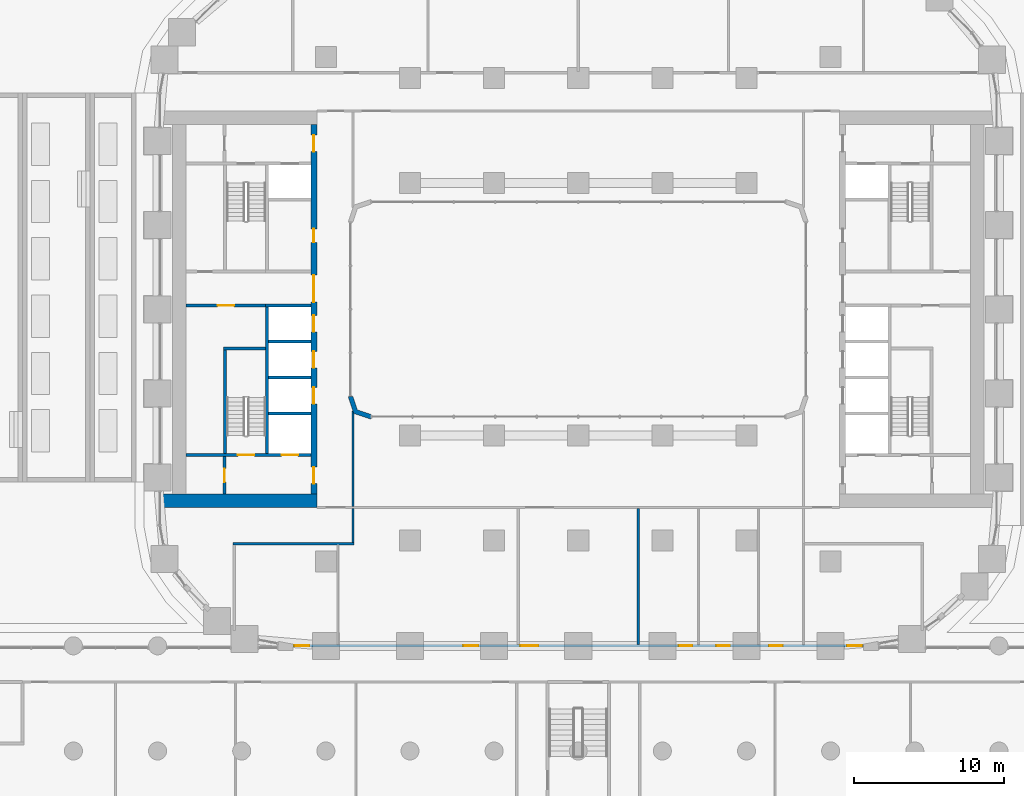
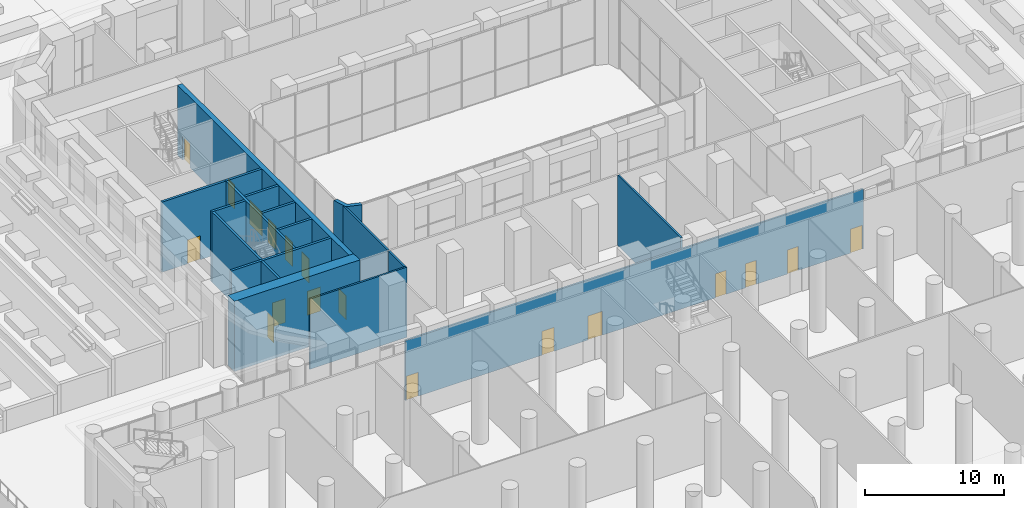
# One storey, part 34 of 51: 18 doors, 18 walls, 18 openings.
"""IFC4 building model written with IfcOpenShell, lengths in metres."""

from ifc_helpers import new_model, si_unit, direction, frame, frame_2d, origin, place, context, subcontext, project, spatial, polyline, rectangle, outline, extrude, material, layer, layer_set, type_object, element, fill, save


model = new_model("IFC4")

# Units and contexts
model_context = context("Model", 3, precision=1e-05, world=origin(), true_north=direction((0.0, 1.0)))
body_context = subcontext(model_context, "Body", "Model", "MODEL_VIEW")
ifc_project = project(units=[si_unit("LENGTHUNIT", "METRE"), si_unit("AREAUNIT", "SQUARE_METRE"), si_unit("VOLUMEUNIT", "CUBIC_METRE"), si_unit("PLANEANGLEUNIT", "RADIAN"), si_unit("MASSUNIT", "GRAM", prefix="KILO")], contexts=[model_context])

# Site, building, storey
site_placement = place(None, origin())
site = spatial("IfcSite", under=ifc_project, at=site_placement, CompositionType="ELEMENT")
building_placement = place(site_placement, origin())
building = spatial("IfcBuilding", under=site, at=building_placement, Name="Kiln Ring Residences", CompositionType="ELEMENT")
storey_placement = place(building_placement, origin())
storey = spatial("IfcBuildingStorey", under=building, at=storey_placement, Name="L00", CompositionType="ELEMENT", Elevation=0.0)

# Wall, opening, door
ifc_material_1 = material(Name="Gypsum board on steel studs", Category="steel")
ifc_layer_1 = layer(ifc_material_1, 0.199951171875)
ifc_layer_set_1 = layer_set([ifc_layer_1], Name="CORE-PARTITION-200")
wall_type_1 = type_object("IfcWallType", Name="CORE-PARTITION-200", PredefinedType="PARTITIONING", material=ifc_layer_set_1)
wall_1_placement = place(storey_placement, frame((-20.800048828125, 0.25, 0.0), z_axis=(0.0, 0.0, 1.0), x_axis=(-1.0, 0.0, 0.0)))
wall_1 = element("IfcWall", 1, at=wall_1_placement, inside=storey, type_object=wall_type_1, Name="Core partition west L00 1", PredefinedType="PARTITIONING", context=body_context, shape_type="SweptSolid", body=[
    extrude(rectangle(XDim=5.300048828125, YDim=0.199951171875, at=frame_2d((2.64990234375, 0.0))), origin(), (0.0, 0.0, 1.0), 6.14990234375),
])
opening_1_placement = place(wall_1_placement, frame((2.10009765625, 0.0, 0.0)))
opening_1 = element("IfcOpeningElement", 2, at=opening_1_placement, cuts=wall_1, Name="Opening L00-CW14", PredefinedType="OPENING", context=body_context, shape_type="SweptSolid", body=[
    extrude(rectangle(XDim=1.10009765625, YDim=2.10009765625, at=frame_2d((0.550048828125, 1.050048828125))), frame((0.0, 0.10986328125, 0.0), z_axis=(0.0, -1.0, 0.0), x_axis=(1.0, 0.0, 0.0)), (0.0, 0.0, 1.0), 0.219970703125),
])
ifc_material_2 = material(Name="Steel door leaf", Category="steel")
door_type_1 = type_object("IfcDoorType", Name="CORE-DOOR-ROOM", OperationType="SINGLE_SWING_LEFT", PredefinedType="DOOR", material=ifc_material_2)
door_1_placement = place(opening_1_placement, origin())
door_1 = element("IfcDoor", 3, at=door_1_placement, inside=storey, type_object=door_type_1, Name="Fire command and control room L00-CW14", OperationType="SINGLE_SWING_RIGHT", OverallHeight=2.10009765625, OverallWidth=1.10009765625, PredefinedType="DOOR", context=body_context, shape_type="SweptSolid", body=[
    extrude(rectangle(XDim=1.10009765625, YDim=2.10009765625, at=frame_2d((0.550048828125, 1.050048828125))), frame((0.0, 0.02490234375, 0.0), z_axis=(0.0, -1.0, 0.0), x_axis=(1.0, 0.0, 0.0)), (0.0, 0.0, 1.0), 0.050048828125),
])
fill(opening_1, door_1)

wall_2_placement = place(storey_placement, frame((-23.550048828125, -12.300048828125, 0.0), z_axis=(0.0, 0.0, 1.0), x_axis=(0.0, 1.0, 0.0)))
wall_2 = element("IfcWall", 4, at=wall_2_placement, inside=storey, type_object=wall_type_1, Name="Core partition west L00 3", PredefinedType="PARTITIONING", context=body_context, shape_type="SweptSolid", body=[
    extrude(rectangle(XDim=2.5, YDim=0.199951171875, at=frame_2d((1.25, 0.0))), origin(), (0.0, 0.0, 1.0), 6.14990234375),
])
opening_2_placement = place(wall_2_placement, frame((0.800048828125, 0.0, 0.0)))
opening_2 = element("IfcOpeningElement", 5, at=opening_2_placement, cuts=wall_2, Name="Opening L00-CW10", PredefinedType="OPENING", context=body_context, shape_type="SweptSolid", body=[
    extrude(rectangle(XDim=0.89990234375, YDim=2.10009765625, at=frame_2d((0.449951171875, 1.050048828125))), frame((0.0, 0.10986328125, 0.0), z_axis=(0.0, -1.0, 0.0), x_axis=(1.0, 0.0, 0.0)), (0.0, 0.0, 1.0), 0.219970703125),
])
door_2_placement = place(opening_2_placement, origin())
door_2 = element("IfcDoor", 6, at=door_2_placement, inside=storey, type_object=door_type_1, Name="Store L00-CW10", OperationType="SINGLE_SWING_RIGHT", OverallHeight=2.10009765625, OverallWidth=0.89990234375, PredefinedType="DOOR", context=body_context, shape_type="SweptSolid", body=[
    extrude(rectangle(XDim=0.89990234375, YDim=2.10009765625, at=frame_2d((0.449951171875, 1.050048828125))), frame((0.0, 0.02490234375, 0.0), z_axis=(0.0, -1.0, 0.0), x_axis=(1.0, 0.0, 0.0)), (0.0, 0.0, 1.0), 0.050048828125),
])
fill(opening_2, door_2)

# Walls
ifc_material_3 = material(Name="Gypsum shaft wall system")
ifc_layer_2 = layer(ifc_material_3, 0.199951171875)
ifc_layer_set_2 = layer_set([ifc_layer_2], Name="CORE-SHAFT-WALL-200")
wall_type_2 = type_object("IfcWallType", Name="CORE-SHAFT-WALL-200", PredefinedType="PARTITIONING", material=ifc_layer_set_2)
for number, where, z_axis, x_axis, name in (
    (7, (-17.800048828125, -6.949951171875, 0.0), (0.0, 0.0, 1.0), (-1.0, 0.0, 0.0), "Core partition west L00 4"),
    (8, (-17.800048828125, -4.550048828125, 0.0), (0.0, 0.0, 1.0), (-1.0, 0.0, 0.0), "Core partition west L00 5"),
    (9, (-17.800048828125, -2.14990234375, 0.0), (0.0, 0.0, 1.0), (-1.0, 0.0, 0.0), "Core partition west L00 6"),
):
    element("IfcWall", number, at=place(storey_placement, frame(where, z_axis=z_axis, x_axis=x_axis)), inside=storey, type_object=wall_type_2, Name=name, PredefinedType="PARTITIONING", context=body_context, shape_type="SweptSolid", body=[
        extrude(rectangle(XDim=2.800048828125, YDim=0.199951171875, at=frame_2d((1.39990234375, 0.0))), origin(), (0.0, 0.0, 1.0), 6.14990234375),
    ])
wall_3_placement = place(storey_placement, frame((-17.800048828125, 0.25, 0.0), z_axis=(0.0, 0.0, 1.0), x_axis=(-1.0, 0.0, 0.0)))
element("IfcWall", 10, at=wall_3_placement, inside=storey, type_object=wall_type_2, Name="Core partition west L00 7", PredefinedType="PARTITIONING", context=body_context, shape_type="SweptSolid", body=[
    extrude(rectangle(XDim=3.0, YDim=0.199951171875, at=frame_2d((1.5, 0.0))), origin(), (0.0, 0.0, 1.0), 6.14990234375),
])
ifc_material_4 = material(Name="Concrete C40/50", Category="concrete")
ifc_layer_3 = layer(ifc_material_4, 0.199951171875)
ifc_layer_set_3 = layer_set([ifc_layer_3], Name="CORE-WALL-RC200")
wall_type_3 = type_object("IfcWallType", Name="CORE-WALL-RC200", PredefinedType="SHEAR", material=ifc_layer_set_3)
wall_4_placement = place(storey_placement, frame((-20.699951171875, -9.60009765625, 0.0), z_axis=(0.0, 0.0, 1.0), x_axis=(0.0, 1.0, 0.0)))
element("IfcWall", 11, at=wall_4_placement, inside=storey, type_object=wall_type_3, Name="Core wall west L00 2", PredefinedType="SHEAR", context=body_context, shape_type="SweptSolid", body=[
    extrude(rectangle(XDim=9.75, YDim=0.199951171875, at=frame_2d((4.875, 0.0))), origin(), (0.0, 0.0, 1.0), 6.14990234375),
])

# Wall, openings, doors
wall_5_placement = place(storey_placement, frame((-17.800048828125, -9.699951171875, 0.0), z_axis=(0.0, 0.0, 1.0), x_axis=(-1.0, 0.0, 0.0)))
wall_5 = element("IfcWall", 12, at=wall_5_placement, inside=storey, type_object=wall_type_3, Name="Core wall west L00 8", PredefinedType="SHEAR", context=body_context, shape_type="SweptSolid", body=[
    extrude(rectangle(XDim=8.300048828125, YDim=0.199951171875, at=frame_2d((4.14990234375, 0.0))), origin(), (0.0, 0.0, 1.0), 6.14990234375),
])
opening_3_placement = place(wall_5_placement, frame((0.85009765625, 0.0, 0.0)))
opening_3 = element("IfcOpeningElement", 13, at=opening_3_placement, cuts=wall_5, Name="Opening L00-CW01", PredefinedType="OPENING", context=body_context, shape_type="SweptSolid", body=[
    extrude(rectangle(XDim=1.10009765625, YDim=2.10009765625, at=frame_2d((0.550048828125, 1.050048828125))), frame((0.0, 0.10986328125, 0.0), z_axis=(0.0, -1.0, 0.0), x_axis=(1.0, 0.0, 0.0)), (0.0, 0.0, 1.0), 0.219970703125),
])
opening_4_placement = place(wall_5_placement, frame((3.75, 0.0, 0.0)))
opening_4 = element("IfcOpeningElement", 14, at=opening_4_placement, cuts=wall_5, Name="Opening L00-CW12", PredefinedType="OPENING", context=body_context, shape_type="SweptSolid", body=[
    extrude(rectangle(XDim=1.10009765625, YDim=2.10009765625, at=frame_2d((0.550048828125, 1.050048828125))), frame((0.0, 0.10986328125, 0.0), z_axis=(0.0, -1.0, 0.0), x_axis=(1.0, 0.0, 0.0)), (0.0, 0.0, 1.0), 0.219970703125),
])
ifc_material_5 = material(Name="Steel door leaf", Category="steel")
door_type_2 = type_object("IfcDoorType", Name="CORE-DOOR-LD", OperationType="DOUBLE_DOOR_SLIDING", PredefinedType="DOOR", material=ifc_material_5)
door_3_placement = place(opening_3_placement, origin())
door_3 = element("IfcDoor", 15, at=door_3_placement, inside=storey, type_object=door_type_2, Name="LD W-SV L00-CW01", OperationType="DOUBLE_DOOR_SLIDING", OverallHeight=2.10009765625, OverallWidth=1.10009765625, PredefinedType="DOOR", context=body_context, shape_type="SweptSolid", body=[
    extrude(rectangle(XDim=1.10009765625, YDim=2.10009765625, at=frame_2d((0.550048828125, 1.050048828125))), frame((0.0, 0.02490234375, 0.0), z_axis=(0.0, -1.0, 0.0), x_axis=(1.0, 0.0, 0.0)), (0.0, 0.0, 1.0), 0.050048828125),
])
fill(opening_3, door_3)
ifc_material_6 = material(Name="Steel door leaf", Category="steel")
door_type_3 = type_object("IfcDoorType", Name="CORE-DOOR-STAIR", OperationType="SINGLE_SWING_LEFT", PredefinedType="DOOR", material=ifc_material_6)
door_4_placement = place(opening_4_placement, origin())
door_4 = element("IfcDoor", 16, at=door_4_placement, inside=storey, type_object=door_type_3, Name="Stair W-STS L00-CW12", OperationType="SINGLE_SWING_LEFT", OverallHeight=2.10009765625, OverallWidth=1.10009765625, PredefinedType="DOOR", context=body_context, shape_type="SweptSolid", body=[
    extrude(rectangle(XDim=1.10009765625, YDim=2.10009765625, at=frame_2d((0.550048828125, 1.050048828125))), frame((0.0, 0.02490234375, 0.0), z_axis=(0.0, -1.0, 0.0), x_axis=(1.0, 0.0, 0.0)), (0.0, 0.0, 1.0), 0.050048828125),
])
fill(opening_4, door_4)

# Walls
wall_6_placement = place(storey_placement, frame((-23.5, -9.60009765625, 0.0), z_axis=(0.0, 0.0, 1.0), x_axis=(0.0, 1.0, 0.0)))
element("IfcWall", 17, at=wall_6_placement, inside=storey, type_object=wall_type_3, Name="Core wall west L00 11", PredefinedType="SHEAR", context=body_context, shape_type="SweptSolid", body=[
    extrude(rectangle(XDim=6.900146484375, YDim=0.199951171875, at=frame_2d((3.4501953125, 0.0))), origin(), (0.0, 0.0, 1.0), 6.14990234375),
])
wall_7_placement = place(storey_placement, frame((-20.800048828125, -2.60009765625, 0.0), z_axis=(0.0, 0.0, 1.0), x_axis=(-1.0, 0.0, 0.0)))
element("IfcWall", 18, at=wall_7_placement, inside=storey, type_object=wall_type_3, Name="Core wall west L00 12", PredefinedType="SHEAR", context=body_context, shape_type="SweptSolid", body=[
    extrude(rectangle(XDim=2.800048828125, YDim=0.199951171875, at=frame_2d((1.39990234375, 0.0))), origin(), (0.0, 0.0, 1.0), 6.14990234375),
])

# Wall, openings, doors
ifc_material_7 = material(Name="Concrete C60/75", Category="concrete")
ifc_layer_4 = layer(ifc_material_7, 0.39990234375)
ifc_layer_set_4 = layer_set([ifc_layer_4], Name="CORE-WALL-RC400")
wall_type_4 = type_object("IfcWallType", Name="CORE-WALL-RC400", PredefinedType="SHEAR", material=ifc_layer_set_4)
wall_8_placement = place(storey_placement, frame((-17.60009765625, -12.300048828125, 0.0), z_axis=(0.0, 0.0, 1.0), x_axis=(0.0, 1.0, 0.0)))
wall_8 = element("IfcWall", 19, at=wall_8_placement, inside=storey, type_object=wall_type_4, Name="Core wall west L00 6", PredefinedType="SHEAR", context=body_context, shape_type="SweptSolid", body=[
    extrude(rectangle(XDim=24.60009765625, YDim=0.39990234375, at=frame_2d((12.300048828125, 0.0))), origin(), (0.0, 0.0, 1.0), 6.14990234375),
])
opening_5_placement = place(wall_8_placement, frame((6.0, 0.0, 0.0)))
opening_5 = element("IfcOpeningElement", 20, at=opening_5_placement, cuts=wall_8, Name="Opening L00-CW02", PredefinedType="OPENING", context=body_context, shape_type="SweptSolid", body=[
    extrude(rectangle(XDim=1.10009765625, YDim=2.10009765625, at=frame_2d((0.550048828125, 1.050048828125))), frame((0.0, 0.2099609375, 0.0), z_axis=(0.0, -1.0, 0.0), x_axis=(1.0, 0.0, 0.0)), (0.0, 0.0, 1.0), 0.419921875),
])
opening_6_placement = place(wall_8_placement, frame((8.39990234375, 0.0, 0.0)))
opening_6 = element("IfcOpeningElement", 21, at=opening_6_placement, cuts=wall_8, Name="Opening L00-CW03", PredefinedType="OPENING", context=body_context, shape_type="SweptSolid", body=[
    extrude(rectangle(XDim=1.10009765625, YDim=2.10009765625, at=frame_2d((0.550048828125, 1.050048828125))), frame((0.0, 0.2099609375, 0.0), z_axis=(0.0, -1.0, 0.0), x_axis=(1.0, 0.0, 0.0)), (0.0, 0.0, 1.0), 0.419921875),
])
opening_7_placement = place(wall_8_placement, frame((10.800048828125, 0.0, 0.0)))
opening_7 = element("IfcOpeningElement", 22, at=opening_7_placement, cuts=wall_8, Name="Opening L00-CW04", PredefinedType="OPENING", context=body_context, shape_type="SweptSolid", body=[
    extrude(rectangle(XDim=1.10009765625, YDim=2.10009765625, at=frame_2d((0.550048828125, 1.050048828125))), frame((0.0, 0.2099609375, 0.0), z_axis=(0.0, -1.0, 0.0), x_axis=(1.0, 0.0, 0.0)), (0.0, 0.0, 1.0), 0.419921875),
])
opening_8_placement = place(wall_8_placement, frame((16.75, 0.0, 0.0)))
opening_8 = element("IfcOpeningElement", 23, at=opening_8_placement, cuts=wall_8, Name="Opening L00-CW05", PredefinedType="OPENING", context=body_context, shape_type="SweptSolid", body=[
    extrude(rectangle(XDim=0.89990234375, YDim=2.10009765625, at=frame_2d((0.449951171875, 1.050048828125))), frame((0.0, 0.2099609375, 0.0), z_axis=(0.0, -1.0, 0.0), x_axis=(1.0, 0.0, 0.0)), (0.0, 0.0, 1.0), 0.419921875),
])
opening_9_placement = place(wall_8_placement, frame((22.800048828125, 0.0, 0.0)))
opening_9 = element("IfcOpeningElement", 24, at=opening_9_placement, cuts=wall_8, Name="Opening L00-CW07", PredefinedType="OPENING", context=body_context, shape_type="SweptSolid", body=[
    extrude(rectangle(XDim=1.10009765625, YDim=2.10009765625, at=frame_2d((0.550048828125, 1.050048828125))), frame((0.0, 0.2099609375, 0.0), z_axis=(0.0, -1.0, 0.0), x_axis=(1.0, 0.0, 0.0)), (0.0, 0.0, 1.0), 0.419921875),
])
opening_10_placement = place(wall_8_placement, frame((0.699951171875, 0.0, 0.0)))
opening_10 = element("IfcOpeningElement", 25, at=opening_10_placement, cuts=wall_8, Name="Opening L00-CW08", PredefinedType="OPENING", context=body_context, shape_type="SweptSolid", body=[
    extrude(rectangle(XDim=1.10009765625, YDim=2.10009765625, at=frame_2d((0.550048828125, 1.050048828125))), frame((0.0, 0.2099609375, 0.0), z_axis=(0.0, -1.0, 0.0), x_axis=(1.0, 0.0, 0.0)), (0.0, 0.0, 1.0), 0.419921875),
])
opening_11_placement = place(wall_8_placement, frame((12.77490234375, 0.0, 0.0)))
opening_11 = element("IfcOpeningElement", 26, at=opening_11_placement, cuts=wall_8, Name="Opening L00-CW13", PredefinedType="OPENING", context=body_context, shape_type="SweptSolid", body=[
    extrude(rectangle(XDim=1.800048828125, YDim=2.10009765625, at=frame_2d((0.89990234375, 1.050048828125))), frame((0.0, 0.2099609375, 0.0), z_axis=(0.0, -1.0, 0.0), x_axis=(1.0, 0.0, 0.0)), (0.0, 0.0, 1.0), 0.419921875),
])
door_5_placement = place(opening_5_placement, origin())
door_5 = element("IfcDoor", 27, at=door_5_placement, inside=storey, type_object=door_type_2, Name="LD W-L1 L00-CW02", OperationType="DOUBLE_DOOR_SLIDING", OverallHeight=2.10009765625, OverallWidth=1.10009765625, PredefinedType="DOOR", context=body_context, shape_type="SweptSolid", body=[
    extrude(rectangle(XDim=1.10009765625, YDim=2.10009765625, at=frame_2d((0.550048828125, 1.050048828125))), frame((0.0, 0.02490234375, 0.0), z_axis=(0.0, -1.0, 0.0), x_axis=(1.0, 0.0, 0.0)), (0.0, 0.0, 1.0), 0.050048828125),
])
fill(opening_5, door_5)
door_6_placement = place(opening_6_placement, origin())
door_6 = element("IfcDoor", 28, at=door_6_placement, inside=storey, type_object=door_type_2, Name="LD W-L2 L00-CW03", OperationType="DOUBLE_DOOR_SLIDING", OverallHeight=2.10009765625, OverallWidth=1.10009765625, PredefinedType="DOOR", context=body_context, shape_type="SweptSolid", body=[
    extrude(rectangle(XDim=1.10009765625, YDim=2.10009765625, at=frame_2d((0.550048828125, 1.050048828125))), frame((0.0, 0.02490234375, 0.0), z_axis=(0.0, -1.0, 0.0), x_axis=(1.0, 0.0, 0.0)), (0.0, 0.0, 1.0), 0.050048828125),
])
fill(opening_6, door_6)
door_7_placement = place(opening_7_placement, origin())
door_7 = element("IfcDoor", 29, at=door_7_placement, inside=storey, type_object=door_type_2, Name="LD W-L3 L00-CW04", OperationType="DOUBLE_DOOR_SLIDING", OverallHeight=2.10009765625, OverallWidth=1.10009765625, PredefinedType="DOOR", context=body_context, shape_type="SweptSolid", body=[
    extrude(rectangle(XDim=1.10009765625, YDim=2.10009765625, at=frame_2d((0.550048828125, 1.050048828125))), frame((0.0, 0.02490234375, 0.0), z_axis=(0.0, -1.0, 0.0), x_axis=(1.0, 0.0, 0.0)), (0.0, 0.0, 1.0), 0.050048828125),
])
fill(opening_7, door_7)
ifc_material_8 = material(Name="Steel door leaf", Category="steel")
door_type_4 = type_object("IfcDoorType", Name="CORE-DOOR-LOBBY", OperationType="SINGLE_SWING_LEFT", PredefinedType="DOOR", material=ifc_material_8)
door_8_placement = place(opening_9_placement, origin())
door_8 = element("IfcDoor", 30, at=door_8_placement, inside=storey, type_object=door_type_4, Name="FFL L00-CW07", OperationType="SINGLE_SWING_RIGHT", OverallHeight=2.10009765625, OverallWidth=1.10009765625, PredefinedType="DOOR", context=body_context, shape_type="SweptSolid", body=[
    extrude(rectangle(XDim=1.10009765625, YDim=2.10009765625, at=frame_2d((0.550048828125, 1.050048828125))), frame((0.0, 0.02490234375, 0.0), z_axis=(0.0, -1.0, 0.0), x_axis=(1.0, 0.0, 0.0)), (0.0, 0.0, 1.0), 0.050048828125),
])
fill(opening_9, door_8)
door_9_placement = place(opening_10_placement, origin())
door_9 = element("IfcDoor", 31, at=door_9_placement, inside=storey, type_object=door_type_4, Name="SVL L00-CW08", OperationType="SINGLE_SWING_LEFT", OverallHeight=2.10009765625, OverallWidth=1.10009765625, PredefinedType="DOOR", context=body_context, shape_type="SweptSolid", body=[
    extrude(rectangle(XDim=1.10009765625, YDim=2.10009765625, at=frame_2d((0.550048828125, 1.050048828125))), frame((0.0, 0.02490234375, 0.0), z_axis=(0.0, -1.0, 0.0), x_axis=(1.0, 0.0, 0.0)), (0.0, 0.0, 1.0), 0.050048828125),
])
fill(opening_10, door_9)
ifc_material_9 = material(Name="Steel door leaf", Category="steel")
door_type_5 = type_object("IfcDoorType", Name="CORE-DOOR-PASS", OperationType="DOUBLE_DOOR_SINGLE_SWING", PredefinedType="DOOR", material=ifc_material_9)
door_10_placement = place(opening_11_placement, origin())
door_10 = element("IfcDoor", 32, at=door_10_placement, inside=storey, type_object=door_type_5, Name="Core passage L00-CW13", OperationType="DOUBLE_DOOR_SINGLE_SWING", OverallHeight=2.10009765625, OverallWidth=1.800048828125, PredefinedType="DOOR", context=body_context, shape_type="SweptSolid", body=[
    extrude(rectangle(XDim=1.800048828125, YDim=2.10009765625, at=frame_2d((0.89990234375, 1.050048828125))), frame((0.0, 0.02490234375, 0.0), z_axis=(0.0, -1.0, 0.0), x_axis=(1.0, 0.0, 0.0)), (0.0, 0.0, 1.0), 0.050048828125),
])
fill(opening_11, door_10)
door_11_placement = place(opening_8_placement, origin())
door_11 = element("IfcDoor", 33, at=door_11_placement, inside=storey, type_object=door_type_1, Name="Goods store L00-CW05", OperationType="SINGLE_SWING_LEFT", OverallHeight=2.10009765625, OverallWidth=0.89990234375, PredefinedType="DOOR", context=body_context, shape_type="SweptSolid", body=[
    extrude(rectangle(XDim=0.89990234375, YDim=2.10009765625, at=frame_2d((0.449951171875, 1.050048828125))), frame((0.0, 0.02490234375, 0.0), z_axis=(0.0, -1.0, 0.0), x_axis=(1.0, 0.0, 0.0)), (0.0, 0.0, 1.0), 0.050048828125),
])
fill(opening_8, door_11)

# Walls
ifc_material_10 = material(Name="Concrete C60/75", Category="concrete")
ifc_layer_5 = layer(ifc_material_10, 0.89990234375)
ifc_layer_set_5 = layer_set([ifc_layer_5], Name="CORE-WALL-RC900")
wall_type_5 = type_object("IfcWallType", Name="CORE-WALL-RC900", PredefinedType="SHEAR", material=ifc_layer_set_5)
wall_9_placement = place(storey_placement, frame((-17.39990234375, -12.75, 0.0), z_axis=(0.0, 0.0, 1.0), x_axis=(-1.0, 0.0, 0.0)))
element("IfcWall", 34, at=wall_9_placement, inside=storey, type_object=wall_type_5, Name="Core wall west L00 5", PredefinedType="SHEAR", context=body_context, shape_type="SweptSolid", body=[
    extrude(rectangle(XDim=10.400146484375, YDim=0.89990234375, at=frame_2d((5.2001953125, 0.0))), origin(), (0.0, 0.0, 1.0), 6.14990234375),
])
ifc_material_11 = material(Name="Brick masonry, dark clay brick", Category="masonry")
ifc_layer_6 = layer(ifc_material_11, 0.300048828125)
ifc_layer_set_6 = layer_set([ifc_layer_6], Name="EW-300 BRICK WALL")
wall_type_6 = type_object("IfcWallType", Name="EW-300 BRICK WALL", PredefinedType="SOLIDWALL", material=ifc_layer_set_6)
wall_10_placement = place(storey_placement, origin())
element("IfcWall", 35, at=wall_10_placement, inside=storey, type_object=wall_type_6, Name="Corner wall L00 6", PredefinedType="SOLIDWALL", context=body_context, shape_type="SweptSolid", body=[
    extrude(outline(polyline([(-14.937255859375, -6.937255859375), (-13.8486328125, -7.300048828125), (-13.800048828125, -7.300048828125), (-13.800048828125, -7.0), (-14.699951171875, -6.699951171875), (-15.0, -5.800048828125), (-15.300048828125, -5.800048828125), (-15.300048828125, -5.8486328125), (-14.937255859375, -6.937255859375)])), origin(), (0.0, 0.0, 1.0), 6.14990234375),
])

# Wall, openings, doors
ifc_material_12 = material(Name="Brick masonry partition", Category="masonry")
ifc_layer_7 = layer(ifc_material_12, 0.14990234375)
ifc_layer_set_7 = layer_set([ifc_layer_7], Name="PARTITION-150-ei60")
wall_type_7 = type_object("IfcWallType", Name="PARTITION-150-ei60", PredefinedType="PARTITIONING", material=ifc_layer_set_7)
wall_11_placement = place(storey_placement, frame((-18.97998046875, -22.39990234375, 0.0), z_axis=(0.0, 0.0, 1.0), x_axis=(1.0, 0.0, 0.0)))
wall_11 = element("IfcWall", 36, at=wall_11_placement, inside=storey, type_object=wall_type_7, Name="Partition 012", PredefinedType="PARTITIONING", context=body_context, shape_type="SweptSolid", body=[
    extrude(rectangle(XDim=37.9609375, YDim=0.14990234375, at=frame_2d((18.98046875, 0.0))), origin(), (0.0, 0.0, 1.0), 5.25),
])
opening_12_placement = place(wall_11_placement, frame((15.1298828125, 0.0, 0.0)))
opening_12 = element("IfcOpeningElement", 37, at=opening_12_placement, cuts=wall_11, Name="Opening L00-D005", PredefinedType="OPENING", context=body_context, shape_type="SweptSolid", body=[
    extrude(rectangle(XDim=1.199951171875, YDim=2.10009765625, at=frame_2d((0.60009765625, 1.050048828125))), frame((0.0, 0.0849609375, 0.0), z_axis=(0.0, -1.0, 0.0), x_axis=(1.0, 0.0, 0.0)), (0.0, 0.0, 1.0), 0.169921875),
])
opening_13_placement = place(wall_11_placement, frame((0.080078125, 0.0, 0.0)))
opening_13 = element("IfcOpeningElement", 38, at=opening_13_placement, cuts=wall_11, Name="Opening L00-D024", PredefinedType="OPENING", context=body_context, shape_type="SweptSolid", body=[
    extrude(rectangle(XDim=1.0, YDim=2.10009765625, at=frame_2d((0.5, 1.050048828125))), frame((0.0, 0.0849609375, 0.0), z_axis=(0.0, -1.0, 0.0), x_axis=(1.0, 0.0, 0.0)), (0.0, 0.0, 1.0), 0.169921875),
])
opening_14_placement = place(wall_11_placement, frame((11.330078125, 0.0, 0.0)))
opening_14 = element("IfcOpeningElement", 39, at=opening_14_placement, cuts=wall_11, Name="Opening L00-D025", PredefinedType="OPENING", context=body_context, shape_type="SweptSolid", body=[
    extrude(rectangle(XDim=1.0, YDim=2.10009765625, at=frame_2d((0.5, 1.050048828125))), frame((0.0, 0.0849609375, 0.0), z_axis=(0.0, -1.0, 0.0), x_axis=(1.0, 0.0, 0.0)), (0.0, 0.0, 1.0), 0.169921875),
])
opening_15_placement = place(wall_11_placement, frame((25.679931640625, 0.0, 0.0)))
opening_15 = element("IfcOpeningElement", 40, at=opening_15_placement, cuts=wall_11, Name="Opening L00-D026", PredefinedType="OPENING", context=body_context, shape_type="SweptSolid", body=[
    extrude(rectangle(XDim=0.89990234375, YDim=2.10009765625, at=frame_2d((0.449951171875, 1.050048828125))), frame((0.0, 0.0849609375, 0.0), z_axis=(0.0, -1.0, 0.0), x_axis=(1.0, 0.0, 0.0)), (0.0, 0.0, 1.0), 0.169921875),
])
opening_16_placement = place(wall_11_placement, frame((28.179931640625, 0.0, 0.0)))
opening_16 = element("IfcOpeningElement", 41, at=opening_16_placement, cuts=wall_11, Name="Opening L00-D027", PredefinedType="OPENING", context=body_context, shape_type="SweptSolid", body=[
    extrude(rectangle(XDim=0.89990234375, YDim=2.10009765625, at=frame_2d((0.449951171875, 1.050048828125))), frame((0.0, 0.0849609375, 0.0), z_axis=(0.0, -1.0, 0.0), x_axis=(1.0, 0.0, 0.0)), (0.0, 0.0, 1.0), 0.169921875),
])
opening_17_placement = place(wall_11_placement, frame((31.679931640625, 0.0, 0.0)))
opening_17 = element("IfcOpeningElement", 42, at=opening_17_placement, cuts=wall_11, Name="Opening L00-D028", PredefinedType="OPENING", context=body_context, shape_type="SweptSolid", body=[
    extrude(rectangle(XDim=0.89990234375, YDim=2.10009765625, at=frame_2d((0.449951171875, 1.050048828125))), frame((0.0, 0.0849609375, 0.0), z_axis=(0.0, -1.0, 0.0), x_axis=(1.0, 0.0, 0.0)), (0.0, 0.0, 1.0), 0.169921875),
])
opening_18_placement = place(wall_11_placement, frame((36.881103515625, 0.0, 0.0)))
opening_18 = element("IfcOpeningElement", 43, at=opening_18_placement, cuts=wall_11, Name="Opening L00-D029", PredefinedType="OPENING", context=body_context, shape_type="SweptSolid", body=[
    extrude(rectangle(XDim=1.0, YDim=2.10009765625, at=frame_2d((0.5, 1.050048828125))), frame((0.0, 0.0849609375, 0.0), z_axis=(0.0, -1.0, 0.0), x_axis=(1.0, 0.0, 0.0)), (0.0, 0.0, 1.0), 0.169921875),
])
ifc_material_13 = material(Name="Steel faced fire door leaf", Category="steel")
door_type_6 = type_object("IfcDoorType", Name="FLAT-DOOR-1000-FR", OperationType="SINGLE_SWING_LEFT", PredefinedType="DOOR", material=ifc_material_13)
door_12_placement = place(opening_13_placement, origin())
door_12 = element("IfcDoor", 44, at=door_12_placement, inside=storey, type_object=door_type_6, Name="Door L00-D024", OperationType="SINGLE_SWING_RIGHT", OverallHeight=2.10009765625, OverallWidth=1.0, PredefinedType="DOOR", context=body_context, shape_type="SweptSolid", body=[
    extrude(rectangle(XDim=1.0, YDim=2.10009765625, at=frame_2d((0.5, 1.050048828125))), frame((0.0, 0.02490234375, 0.0), z_axis=(0.0, -1.0, 0.0), x_axis=(1.0, 0.0, 0.0)), (0.0, 0.0, 1.0), 0.050048828125),
])
fill(opening_13, door_12)
door_13_placement = place(opening_14_placement, origin())
door_13 = element("IfcDoor", 45, at=door_13_placement, inside=storey, type_object=door_type_6, Name="Door L00-D025", OperationType="SINGLE_SWING_LEFT", OverallHeight=2.10009765625, OverallWidth=1.0, PredefinedType="DOOR", context=body_context, shape_type="SweptSolid", body=[
    extrude(rectangle(XDim=1.0, YDim=2.10009765625, at=frame_2d((0.5, 1.050048828125))), frame((0.0, 0.02490234375, 0.0), z_axis=(0.0, -1.0, 0.0), x_axis=(1.0, 0.0, 0.0)), (0.0, 0.0, 1.0), 0.050048828125),
])
fill(opening_14, door_13)
door_14_placement = place(opening_18_placement, origin())
door_14 = element("IfcDoor", 46, at=door_14_placement, inside=storey, type_object=door_type_6, Name="Door L00-D029", OperationType="SINGLE_SWING_LEFT", OverallHeight=2.10009765625, OverallWidth=1.0, PredefinedType="DOOR", context=body_context, shape_type="SweptSolid", body=[
    extrude(rectangle(XDim=1.0, YDim=2.10009765625, at=frame_2d((0.5, 1.050048828125))), frame((0.0, 0.02490234375, 0.0), z_axis=(0.0, -1.0, 0.0), x_axis=(1.0, 0.0, 0.0)), (0.0, 0.0, 1.0), 0.050048828125),
])
fill(opening_18, door_14)
ifc_material_14 = material(Name="Steel faced fire door leaf", Category="steel")
door_type_7 = type_object("IfcDoorType", Name="FLAT-DOOR-1200-FR", OperationType="SINGLE_SWING_LEFT", PredefinedType="DOOR", material=ifc_material_14)
door_15_placement = place(opening_12_placement, origin())
door_15 = element("IfcDoor", 47, at=door_15_placement, inside=storey, type_object=door_type_7, Name="Door L00-D005", OperationType="SINGLE_SWING_RIGHT", OverallHeight=2.10009765625, OverallWidth=1.199951171875, PredefinedType="DOOR", context=body_context, shape_type="SweptSolid", body=[
    extrude(rectangle(XDim=1.199951171875, YDim=2.10009765625, at=frame_2d((0.60009765625, 1.050048828125))), frame((0.0, 0.02490234375, 0.0), z_axis=(0.0, -1.0, 0.0), x_axis=(1.0, 0.0, 0.0)), (0.0, 0.0, 1.0), 0.050048828125),
])
fill(opening_12, door_15)
ifc_material_15 = material(Name="Steel faced fire door leaf", Category="steel")
door_type_8 = type_object("IfcDoorType", Name="FLAT-DOOR-900-FR", OperationType="SINGLE_SWING_LEFT", PredefinedType="DOOR", material=ifc_material_15)
door_16_placement = place(opening_15_placement, origin())
door_16 = element("IfcDoor", 48, at=door_16_placement, inside=storey, type_object=door_type_8, Name="Door L00-D026", OperationType="SINGLE_SWING_LEFT", OverallHeight=2.10009765625, OverallWidth=0.89990234375, PredefinedType="DOOR", context=body_context, shape_type="SweptSolid", body=[
    extrude(rectangle(XDim=0.89990234375, YDim=2.10009765625, at=frame_2d((0.449951171875, 1.050048828125))), frame((0.0, 0.02490234375, 0.0), z_axis=(0.0, -1.0, 0.0), x_axis=(1.0, 0.0, 0.0)), (0.0, 0.0, 1.0), 0.050048828125),
])
fill(opening_15, door_16)
door_17_placement = place(opening_16_placement, origin())
door_17 = element("IfcDoor", 49, at=door_17_placement, inside=storey, type_object=door_type_8, Name="Door L00-D027", OperationType="SINGLE_SWING_RIGHT", OverallHeight=2.10009765625, OverallWidth=0.89990234375, PredefinedType="DOOR", context=body_context, shape_type="SweptSolid", body=[
    extrude(rectangle(XDim=0.89990234375, YDim=2.10009765625, at=frame_2d((0.449951171875, 1.050048828125))), frame((0.0, 0.02490234375, 0.0), z_axis=(0.0, -1.0, 0.0), x_axis=(1.0, 0.0, 0.0)), (0.0, 0.0, 1.0), 0.050048828125),
])
fill(opening_16, door_17)
door_18_placement = place(opening_17_placement, origin())
door_18 = element("IfcDoor", 50, at=door_18_placement, inside=storey, type_object=door_type_8, Name="Door L00-D028", OperationType="SINGLE_SWING_RIGHT", OverallHeight=2.10009765625, OverallWidth=0.89990234375, PredefinedType="DOOR", context=body_context, shape_type="SweptSolid", body=[
    extrude(rectangle(XDim=0.89990234375, YDim=2.10009765625, at=frame_2d((0.449951171875, 1.050048828125))), frame((0.0, 0.02490234375, 0.0), z_axis=(0.0, -1.0, 0.0), x_axis=(1.0, 0.0, 0.0)), (0.0, 0.0, 1.0), 0.050048828125),
])
fill(opening_17, door_18)

# Walls
wall_12_placement = place(storey_placement, frame((-22.97509765625, -15.60009765625, 0.0), z_axis=(0.0, 0.0, 1.0), x_axis=(1.0, 0.0, 0.0)))
element("IfcWall", 51, at=wall_12_placement, inside=storey, type_object=wall_type_7, Name="Partition 013", PredefinedType="PARTITIONING", context=body_context, shape_type="SweptSolid", body=[
    extrude(rectangle(XDim=8.050048828125, YDim=0.14990234375, at=frame_2d((4.02490234375, 0.0))), origin(), (0.0, 0.0, 1.0), 6.14990234375),
])
wall_13_placement = place(storey_placement, frame((-15.0, -15.52490234375, 0.0), z_axis=(0.0, 0.0, 1.0), x_axis=(0.0, 1.0, 0.0)))
element("IfcWall", 52, at=wall_13_placement, inside=storey, type_object=wall_type_7, Name="Partition 024", PredefinedType="PARTITIONING", context=body_context, shape_type="SweptSolid", body=[
    extrude(rectangle(XDim=2.25, YDim=0.14990234375, at=frame_2d((1.125, 0.0))), origin(), (0.0, 0.0, 1.0), 6.14990234375),
])
wall_14_placement = place(storey_placement, frame((-15.0, -13.125, 0.0), z_axis=(0.0, 0.0, 1.0), x_axis=(0.0, 1.0, 0.0)))
element("IfcWall", 53, at=wall_14_placement, inside=storey, type_object=wall_type_7, Name="Partition 025", PredefinedType="PARTITIONING", context=body_context, shape_type="SweptSolid", body=[
    extrude(rectangle(XDim=6.356201171875, YDim=0.14990234375, at=frame_2d((3.17822265625, 0.0))), origin(), (0.0, 0.0, 1.0), 6.14990234375),
])
wall_15_placement = place(storey_placement, frame((4.0, -22.324951171875, 0.0), z_axis=(0.0, 0.0, 1.0), x_axis=(0.0, 1.0, 0.0)))
element("IfcWall", 54, at=wall_15_placement, inside=storey, type_object=wall_type_7, Name="Partition 034", PredefinedType="PARTITIONING", context=body_context, shape_type="SweptSolid", body=[
    extrude(rectangle(XDim=9.050048828125, YDim=0.14990234375, at=frame_2d((4.52490234375, 0.0))), origin(), (0.0, 0.0, 1.0), 6.14990234375),
])

save(model, "model.ifc")
